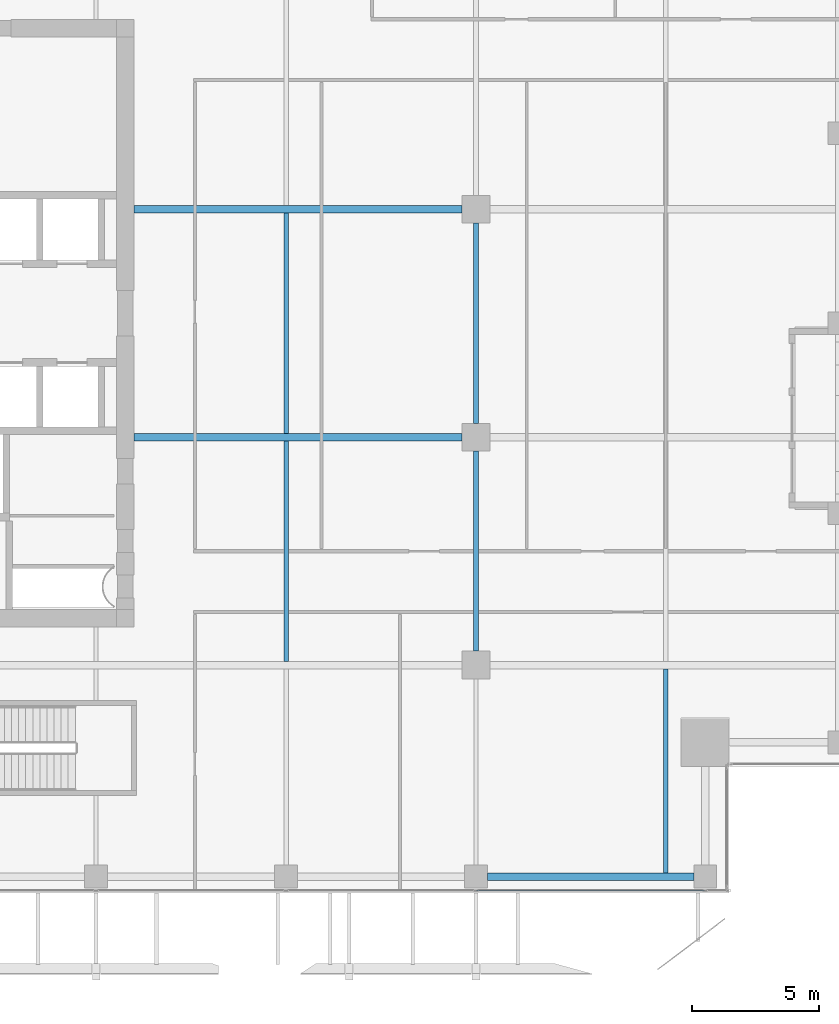
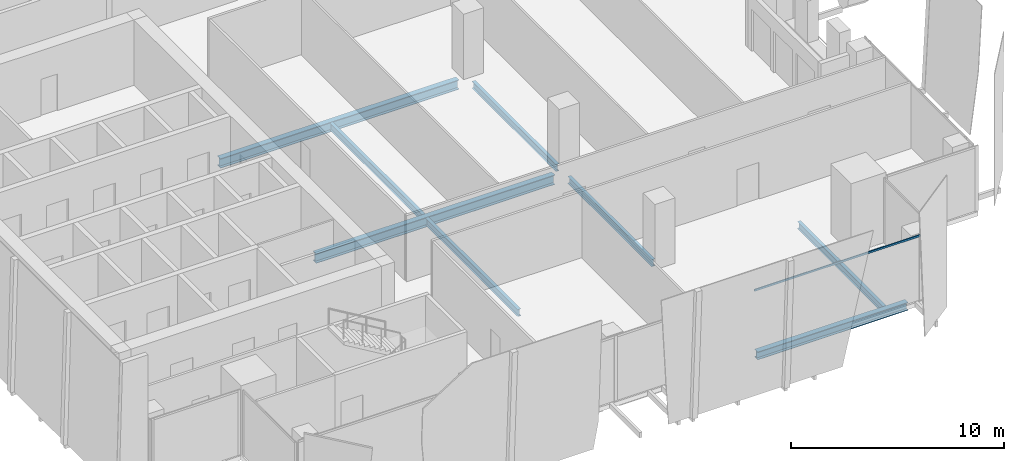
# One storey, part 7 of 35: 8 beams, 1 member, 1 element without a shape of its own.
"""IFC4 building model written with IfcOpenShell, lengths in metres."""

import ifcopenshell
import ifcopenshell.guid

model = None  # the IFC model being written
_history = None  # IfcOwnerHistory: only IFC2X3 demands one
_inside = {}  # id of a spatial element -> (the spatial element, [elements in it])
_under = {}  # id of a project, library or spatial element -> (it, [spatial elements below it])
_declared = {}  # id of a project -> (the project, [libraries it declares])
_typed = {}  # id of a type object -> (the type object, [elements of that type])
_made_of = {}  # id of a material, layer set ... -> (it, [elements and type objects made of it])


def new_model(schema):
    """Start an empty IFC model of exactly this schema.

    Asked for "IFC4X3", IfcOpenShell would pick the latest addendum, in which some entities
    have other attributes; the version numbers below select the first issue.
    IFC2X3 requires an IfcOwnerHistory on every rooted entity: one is made here for all.
    """
    global model, _history
    if schema == "IFC4X3":
        model = ifcopenshell.file(schema_version=(4, 3, 0, 0))
    else:
        model = ifcopenshell.file(schema=schema)
    _inside.clear()
    _under.clear()
    _declared.clear()
    _typed.clear()
    _made_of.clear()
    _history = None
    if model.schema == "IFC2X3":
        org = make("IfcOrganization", Name="unknown")
        user = make(
            "IfcPersonAndOrganization",
            ThePerson=make("IfcPerson", FamilyName="unknown"),
            TheOrganization=org,
        )
        app = make(
            "IfcApplication",
            ApplicationDeveloper=org,
            Version="unknown",
            ApplicationFullName="unknown",
            ApplicationIdentifier="unknown",
        )
        _history = make(
            "IfcOwnerHistory",
            OwningUser=user,
            OwningApplication=app,
            ChangeAction="ADDED",
            CreationDate=0,
        )
    return model


def make(cls, **values):
    """One entity of the class cls with the attributes given. An attribute that is None is left unset."""
    return model.create_entity(
        cls, **{name: value for name, value in values.items() if value is not None}
    )


def rooted(cls, **values):
    """An entity with a GlobalId (a new one), such as an element, a storey or a relation."""
    return make(cls, GlobalId=ifcopenshell.guid.new(), OwnerHistory=_history, **values)


def si_unit(unit_type, name, prefix=None):
    """IfcSIUnit, for example si_unit("LENGTHUNIT", "METRE", prefix="MILLI")."""
    return make("IfcSIUnit", UnitType=unit_type, Prefix=prefix, Name=name)


def assignment(units):
    """IfcUnitAssignment: the units of a project."""
    return None if units is None else make("IfcUnitAssignment", Units=units)


def point(xyz):
    """IfcCartesianPoint."""
    return None if xyz is None else make("IfcCartesianPoint", Coordinates=xyz)


def direction(xyz):
    """IfcDirection."""
    return None if xyz is None else make("IfcDirection", DirectionRatios=xyz)


def frame(location, z_axis=None, x_axis=None):
    """IfcAxis2Placement3D, a coordinate frame: its origin and axes. An axis left out is left unset."""
    return make(
        "IfcAxis2Placement3D",
        Location=point(location),
        Axis=direction(z_axis),
        RefDirection=direction(x_axis),
    )


def frame_2d(location, x_axis=None):
    """IfcAxis2Placement2D, a coordinate frame in the plane: its origin and x axis."""
    return make(
        "IfcAxis2Placement2D", Location=point(location), RefDirection=direction(x_axis)
    )


def origin():
    """The frame at (0, 0, 0) with its axes left unset."""
    return frame((0.0, 0.0, 0.0))


def origin_2d():
    """The frame at (0, 0) in the plane with its x axis left unset."""
    return frame_2d((0.0, 0.0))


def place(relative_to, where):
    """IfcLocalPlacement: puts the frame where relative to a parent placement (None: the world)."""
    return make(
        "IfcLocalPlacement", PlacementRelTo=relative_to, RelativePlacement=where
    )


def context(
    kind, dimensions, precision=None, world=None, true_north=None, identifier=None
):
    """IfcGeometricRepresentationContext, for example the 3D "Model" context."""
    return make(
        "IfcGeometricRepresentationContext",
        ContextIdentifier=identifier,
        ContextType=kind,
        CoordinateSpaceDimension=dimensions,
        Precision=precision,
        WorldCoordinateSystem=world,
        TrueNorth=true_north,
    )


def subcontext(parent, identifier, kind, view, scale=None):
    """IfcGeometricRepresentationSubContext, for example "Body" below "Model"."""
    return make(
        "IfcGeometricRepresentationSubContext",
        ContextIdentifier=identifier,
        ContextType=kind,
        ParentContext=parent,
        TargetScale=scale,
        TargetView=view,
    )


def project(units=None, contexts=None):
    """IfcProject with its units and contexts."""
    return rooted(
        "IfcProject",
        Name="project",
        RepresentationContexts=contexts,
        UnitsInContext=assignment(units),
    )


def spatial(cls, under=None, at=None, **own):
    """A site, building, storey or space (cls), placed at a placement, below another one or the project."""
    s = rooted(cls, ObjectPlacement=at, **own)
    if under is not None:
        _under.setdefault(under.id(), (under, []))[1].append(s)
    return s


def profile(cls, at=None, kind="AREA", **sizes):
    """A parametric profile (cls). Its sizes go by their IFC names, for example OverallWidth=200.0."""
    return make(cls, ProfileType=kind, Position=at, **sizes)


def hollow_rectangle(**sizes):
    """IfcRectangleHollowProfileDef."""
    return profile("IfcRectangleHollowProfileDef", **sizes)


def i_section(**sizes):
    """IfcIShapeProfileDef."""
    return profile("IfcIShapeProfileDef", **sizes)


def extrude(swept, where, along, depth):
    """IfcExtrudedAreaSolid: the profile swept, set in the frame where, extruded along a direction by depth."""
    return make(
        "IfcExtrudedAreaSolid",
        SweptArea=swept,
        Position=where,
        ExtrudedDirection=direction(along),
        Depth=depth,
    )


def shape(context_of_items, identifier, shape_type, items):
    """IfcShapeRepresentation: the items that make up one representation, for example the "Body"."""
    return make(
        "IfcShapeRepresentation",
        ContextOfItems=context_of_items,
        RepresentationIdentifier=identifier,
        RepresentationType=shape_type,
        Items=items,
    )


def source(mapping_origin, context_of_items, identifier, shape_type, items):
    """IfcRepresentationMap: a shape defined once, which mapped items show again and again."""
    return make(
        "IfcRepresentationMap",
        MappingOrigin=mapping_origin,
        MappedRepresentation=shape(context_of_items, identifier, shape_type, items),
    )


def transform(
    local_origin,
    x_axis=None,
    y_axis=None,
    z_axis=None,
    scale=None,
    scale2=None,
    scale3=None,
    uniform=True,
):
    """IfcCartesianTransformationOperator3D, or its non-uniform kind. x_axis, y_axis, z_axis: its Axis1, 2, 3."""
    if uniform:
        return make(
            "IfcCartesianTransformationOperator3D",
            Axis1=direction(x_axis),
            Axis2=direction(y_axis),
            LocalOrigin=point(local_origin),
            Scale=scale,
            Axis3=direction(z_axis),
        )
    return make(
        "IfcCartesianTransformationOperator3DnonUniform",
        Axis1=direction(x_axis),
        Axis2=direction(y_axis),
        LocalOrigin=point(local_origin),
        Scale=scale,
        Axis3=direction(z_axis),
        Scale2=scale2,
        Scale3=scale3,
    )


def mapped(mapping_source, mapping_target):
    """IfcMappedItem: shows the shape of a source again, moved by a transform."""
    return make(
        "IfcMappedItem", MappingSource=mapping_source, MappingTarget=mapping_target
    )


def material(Name=None, Category=None):
    """IfcMaterial."""
    return make("IfcMaterial", Name=Name, Category=Category)


def material_profile(
    of_material, cross_section, Name=None, Category=None, Priority=None
):
    """IfcMaterialProfile: a cross section and its material."""
    return make(
        "IfcMaterialProfile",
        Name=Name,
        Material=of_material,
        Profile=cross_section,
        Priority=Priority,
        Category=Category,
    )


def profile_set(profiles, Name=None, composite=None):
    """IfcMaterialProfileSet."""
    return make(
        "IfcMaterialProfileSet",
        Name=Name,
        MaterialProfiles=profiles,
        CompositeProfile=composite,
    )


def made_of(thing, what):
    """Note that an element or type object is made of a material, layer set ...; save() writes the relation."""
    if what is not None:
        _made_of.setdefault(what.id(), (what, []))[1].append(thing)
    return thing


def type_object(cls, material=None, **own):
    """A type object (cls), such as IfcWallType, which elements share."""
    return made_of(rooted(cls, **own), material)


def element(
    cls,
    number,
    at=None,
    inside=None,
    cuts=None,
    type_object=None,
    material=None,
    context=None,
    identifier="Body",
    shape_type=None,
    held_by="IfcProductDefinitionShape",
    body=None,
    shapes=None,
    **own,
):
    """One element of the class cls, such as IfcWall. Its Tag is "e" and its number.

    at: its placement. inside: the storey or other place that contains it. cuts: it is an
    opening in that element (IfcRelVoidsElement). A single representation is given by context,
    identifier, shape_type and body (its items); several are given by shapes. held_by: the class
    of the entity that holds the representations. save() writes the other relations.
    """
    e = rooted(cls, Tag="e%d" % number, ObjectPlacement=at, **own)
    if body is not None:
        shapes = [shape(context, identifier, shape_type, body)]
    if shapes is not None:
        e.Representation = make(held_by, Representations=shapes)
    if inside is not None:
        _inside.setdefault(inside.id(), (inside, []))[1].append(e)
    if cuts is not None:
        rooted(
            "IfcRelVoidsElement", RelatingBuildingElement=cuts, RelatedOpeningElement=e
        )
    if type_object is not None:
        _typed.setdefault(type_object.id(), (type_object, []))[1].append(e)
    return made_of(e, material)


def aggregate(whole, parts):
    """IfcRelAggregates: a whole, such as a stair, and the parts it consists of."""
    return rooted("IfcRelAggregates", RelatingObject=whole, RelatedObjects=parts)


def save(model, path):
    """Write the relations noted so far, then the file.

    IfcRelAggregates (storeys below a building ...), IfcRelContainedInSpatialStructure (elements
    in a storey), IfcRelDefinesByType, IfcRelAssociatesMaterial and IfcRelDeclares: one each for
    every whole, place, type object, material and project.
    """
    for whole, parts in _under.values():
        aggregate(whole, parts)
    for where, things in _inside.values():
        rooted(
            "IfcRelContainedInSpatialStructure",
            RelatedElements=things,
            RelatingStructure=where,
        )
    for kind, things in _typed.values():
        rooted("IfcRelDefinesByType", RelatedObjects=things, RelatingType=kind)
    for what, things in _made_of.values():
        rooted("IfcRelAssociatesMaterial", RelatedObjects=things, RelatingMaterial=what)
    for by, libraries in _declared.values():
        rooted("IfcRelDeclares", RelatingContext=by, RelatedDefinitions=libraries)
    model.write(path)


model = new_model("IFC4")

# Units and contexts
model_context = context("Model", 3, precision=1e-05, world=origin(), true_north=direction((0.0, 1.0)))
body_context = subcontext(model_context, "Body", "Model", "MODEL_VIEW")
ifc_project = project(units=[si_unit("LENGTHUNIT", "METRE"), si_unit("AREAUNIT", "SQUARE_METRE"), si_unit("VOLUMEUNIT", "CUBIC_METRE"), si_unit("PLANEANGLEUNIT", "RADIAN"), si_unit("MASSUNIT", "GRAM", prefix="KILO")], contexts=[model_context])

# Site, building, storey
site_placement = place(None, origin())
site = spatial("IfcSite", under=ifc_project, at=site_placement, CompositionType="ELEMENT")
building_placement = place(site_placement, origin())
building = spatial("IfcBuilding", under=site, at=building_placement, Name="Khomas Fold Tower", CompositionType="ELEMENT")
storey_placement = place(building_placement, frame((0.0, 0.0, 258.199951171875)))
storey = spatial("IfcBuildingStorey", under=building, at=storey_placement, Name="L58", CompositionType="ELEMENT", Elevation=258.199951171875)

# Beams
ifc_material_1 = material(Name="Steel S355", Category="steel")
ifc_material_profile_1 = material_profile(ifc_material_1, i_section(OverallWidth=0.179931640625, OverallDepth=0.39990234375, WebThickness=0.008544921875, FlangeThickness=0.013427734375, at=origin_2d()), Name="IPE 400")
ifc_profile_set_1 = profile_set([ifc_material_profile_1], Name="Steel S355")
beam_type_1 = type_object("IfcBeamType", Name="IPE 400 beam JB3", PredefinedType="BEAM", material=ifc_profile_set_1)
shared_shape_1 = source(origin(), body_context, "Body", "SweptSolid", [
    extrude(i_section(OverallWidth=0.179931640625, OverallDepth=0.39990234375, WebThickness=0.008544921875, FlangeThickness=0.013427734375, at=origin_2d()), origin(), (0.0, 0.0, 1.0), 8.7001953125),
])
for number, where, z_axis, x_axis, name in (
    (1, (27.0, 13.64990234375, -0.449951171875), (0.0, 1.0, 0.0), (-1.0, 0.0, 0.0), "JB3"),
    (2, (27.0, 22.64990234375, -0.449951171875), (0.0, 1.0, 0.0), (-1.0, 0.0, 0.0), "JB3"),
):
    element("IfcBeam", number, at=place(storey_placement, frame(where, z_axis=z_axis, x_axis=x_axis)), inside=storey, type_object=beam_type_1, Name=name, PredefinedType="BEAM", context=body_context, shape_type="MappedRepresentation", body=[
        mapped(shared_shape_1, transform((0.0, 0.0, 0.0))),
    ])
ifc_material_2 = material(Name="Steel S355", Category="steel")
ifc_material_profile_2 = material_profile(ifc_material_2, i_section(OverallWidth=0.300048828125, OverallDepth=0.449951171875, WebThickness=0.013916015625, FlangeThickness=0.02587890625, at=origin_2d()), Name="HE 450 B")
ifc_profile_set_2 = profile_set([ifc_material_profile_2], Name="Steel S355")
beam_type_2 = type_object("IfcBeamType", Name="HE 450 B spandrel SB4", PredefinedType="SPANDREL", material=ifc_profile_set_2)
shared_shape_2 = source(origin(), body_context, "Body", "SweptSolid", [
    extrude(i_section(OverallWidth=0.300048828125, OverallDepth=0.449951171875, WebThickness=0.013916015625, FlangeThickness=0.02587890625, at=origin_2d()), origin(), (0.0, 0.0, 1.0), 8.150146484375),
])
beam_1_placement = place(storey_placement, frame((34.949951171875, 5.14990234375, -0.474853515625), z_axis=(1.0, 0.0, 0.0), x_axis=(0.0, 1.0, 0.0)))
element("IfcBeam", 3, at=beam_1_placement, inside=storey, type_object=beam_type_2, Name="SB4", PredefinedType="SPANDREL", context=body_context, shape_type="MappedRepresentation", body=[
    mapped(shared_shape_2, transform((0.0, 0.0, 0.0))),
])
ifc_material_3 = material(Name="Steel S355", Category="steel")
ifc_material_profile_3 = material_profile(ifc_material_3, i_section(OverallWidth=0.300048828125, OverallDepth=0.550048828125, WebThickness=0.014892578125, FlangeThickness=0.029052734375, at=origin_2d()), Name="HE 550 B")
ifc_profile_set_3 = profile_set([ifc_material_profile_3], Name="Steel S355")
beam_type_3 = type_object("IfcBeamType", Name="HE 550 B beam GB4", PredefinedType="BEAM", material=ifc_profile_set_3)
shared_shape_3 = source(origin(), body_context, "Body", "SweptSolid", [
    extrude(i_section(OverallWidth=0.300048828125, OverallDepth=0.550048828125, WebThickness=0.014892578125, FlangeThickness=0.029052734375, at=origin_2d()), origin(), (0.0, 0.0, 1.0), 12.949951171875),
])
for number, where, z_axis, x_axis, name in (
    (4, (21.0, 22.5, -0.52490234375), (1.0, 0.0, 0.0), (0.0, 1.0, 0.0), "GB4"),
    (5, (21.0, 31.5, -0.52490234375), (1.0, 0.0, 0.0), (0.0, 1.0, 0.0), "GB4"),
):
    element("IfcBeam", number, at=place(storey_placement, frame(where, z_axis=z_axis, x_axis=x_axis)), inside=storey, type_object=beam_type_3, Name=name, PredefinedType="BEAM", context=body_context, shape_type="MappedRepresentation", body=[
        mapped(shared_shape_3, transform((0.0, 0.0, 0.0))),
    ])
shared_shape_4 = source(origin(), body_context, "Body", "SweptSolid", [
    extrude(i_section(OverallWidth=0.179931640625, OverallDepth=0.39990234375, WebThickness=0.008544921875, FlangeThickness=0.013427734375, at=origin_2d()), origin(), (0.0, 0.0, 1.0), 8.050048828125),
])
beam_2_placement = place(storey_placement, frame((42.0, 5.300048828125, -0.449951171875), z_axis=(0.0, 1.0, 0.0), x_axis=(-1.0, 0.0, 0.0)))
element("IfcBeam", 6, at=beam_2_placement, inside=storey, type_object=beam_type_1, Name="JB3", PredefinedType="BEAM", context=body_context, shape_type="MappedRepresentation", body=[
    mapped(shared_shape_4, transform((0.0, 0.0, 0.0))),
])
shared_shape_5 = source(origin(), body_context, "Body", "SweptSolid", [
    extrude(i_section(OverallWidth=0.179931640625, OverallDepth=0.39990234375, WebThickness=0.008544921875, FlangeThickness=0.013427734375, at=origin_2d()), origin(), (0.0, 0.0, 1.0), 7.89990234375),
])
for number, where, z_axis, x_axis, name in (
    (7, (34.5, 14.050048828125, -0.449951171875), (0.0, 1.0, 0.0), (-1.0, 0.0, 0.0), "JB3"),
    (8, (34.5, 23.050048828125, -0.449951171875), (0.0, 1.0, 0.0), (-1.0, 0.0, 0.0), "JB3"),
):
    element("IfcBeam", number, at=place(storey_placement, frame(where, z_axis=z_axis, x_axis=x_axis)), inside=storey, type_object=beam_type_1, Name=name, PredefinedType="BEAM", context=body_context, shape_type="MappedRepresentation", body=[
        mapped(shared_shape_5, transform((0.0, 0.0, 0.0))),
    ])

# Curtain wall, member
ifc_material_4 = material(Name="Aluminium framed double glazing", Category="aluminium")
curtain_wall_type = type_object("IfcCurtainWallType", Name="SK-Unitised clear-glass wall, office floors CW2", PredefinedType="NOTDEFINED", material=ifc_material_4)
curtain_wall_placement = place(storey_placement, origin())
curtain_wall = element("IfcCurtainWall", 9, at=curtain_wall_placement, inside=storey, type_object=curtain_wall_type, Name="CW2 run L58 00-0", PredefinedType="NOTDEFINED")
ifc_material_5 = material(Name="Aluminium", Category="aluminium")
ifc_material_profile_4 = material_profile(ifc_material_5, hollow_rectangle(XDim=0.050048828125, YDim=0.110107421875, WallThickness=0.00390625, at=origin_2d()), Name="SK-Unitised clear-glass wall, office floors transom CW2-T")
ifc_profile_set_4 = profile_set([ifc_material_profile_4], Name="Aluminium")
member_type = type_object("IfcMemberType", Name="SK-Unitised clear-glass wall, office floors transom CW2-T", PredefinedType="USERDEFINED", material=ifc_profile_set_4)
shared_shape_6 = source(origin(), body_context, "Body", "SweptSolid", [
    extrude(hollow_rectangle(XDim=0.050048828125, YDim=0.110107421875, WallThickness=0.00390625, at=origin_2d()), origin(), (0.0, 0.0, 1.0), 8.989990234375),
])
member_placement = place(storey_placement, frame((34.530029296875, 4.60009765625, 3.695068359375), z_axis=(1.0, 0.0, 0.0), x_axis=(0.0, 1.0, 0.0)))
member = element("IfcMember", 10, at=member_placement, type_object=member_type, Name="CW2 transom 5", ObjectType="TRANSOM", PredefinedType="USERDEFINED", context=body_context, shape_type="MappedRepresentation", body=[
    mapped(shared_shape_6, transform((0.0, 0.0, 0.0))),
])
aggregate(curtain_wall, [member])

save(model, "model.ifc")
